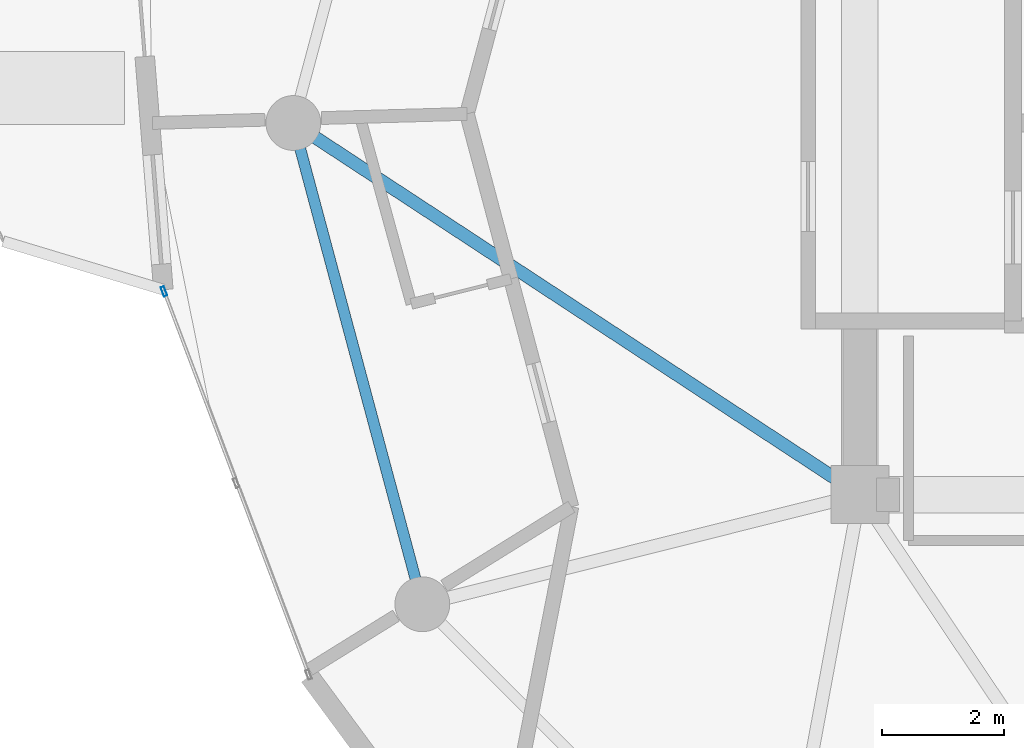
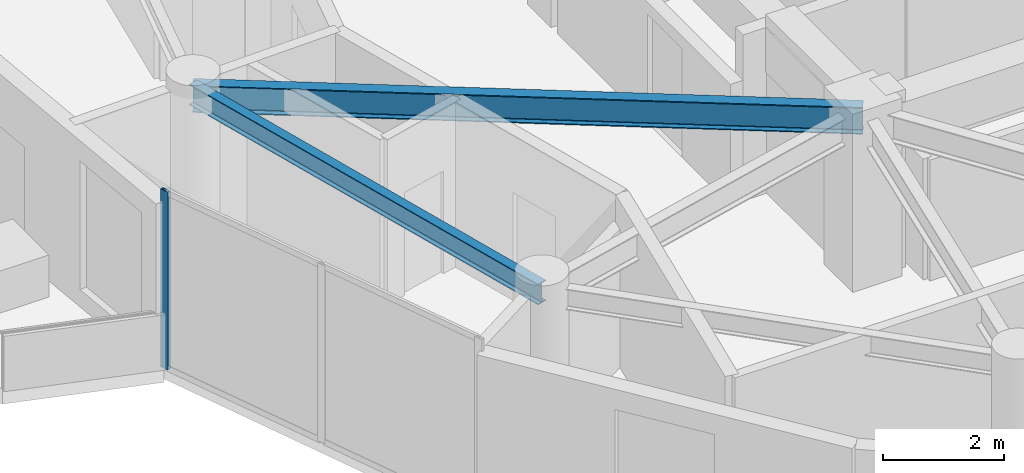
# One storey, part 6 of 20: 2 beams, 1 member, 1 element without a shape of its own.
"""IFC4 building model written with IfcOpenShell, lengths in metres."""

from ifc_helpers import new_model, si_unit, direction, frame, origin, origin_2d, place, context, subcontext, project, spatial, hollow_rectangle, i_section, extrude, source, transform, mapped, material, layer, layer_set, material_profile, profile_set, type_object, element, aggregate, save


model = new_model("IFC4")

# Units and contexts
model_context = context("Model", 3, precision=1e-05, world=origin(), true_north=direction((0.0, 1.0)))
body_context = subcontext(model_context, "Body", "Model", "MODEL_VIEW")
ifc_project = project(units=[si_unit("LENGTHUNIT", "METRE"), si_unit("AREAUNIT", "SQUARE_METRE"), si_unit("VOLUMEUNIT", "CUBIC_METRE"), si_unit("PLANEANGLEUNIT", "RADIAN"), si_unit("MASSUNIT", "GRAM", prefix="KILO")], contexts=[model_context])

# Site, building, storey
site_placement = place(None, origin())
site = spatial("IfcSite", under=ifc_project, at=site_placement, CompositionType="ELEMENT")
building_placement = place(site_placement, origin())
building = spatial("IfcBuilding", under=site, at=building_placement, Name="Solvirekh Grand Hotel", CompositionType="ELEMENT")
storey_placement = place(building_placement, frame((0.0, 0.0, 194.800048828125)))
storey = spatial("IfcBuildingStorey", under=building, at=storey_placement, Name="L50", CompositionType="ELEMENT", Elevation=194.800048828125)

# Beams
ifc_material_1 = material(Name="Steel S355", Category="steel")
ifc_material_profile_1 = material_profile(ifc_material_1, i_section(OverallWidth=0.2119140625, OverallDepth=0.5439453125, WebThickness=0.011962890625, FlangeThickness=0.01904296875, FilletRadius=0.013916015625, at=origin_2d()), Name="W530X123")
ifc_profile_set_1 = profile_set([ifc_material_profile_1], Name="Steel S355")
beam_type_1 = type_object("IfcBeamType", Name="Beam_Radial_W530H", PredefinedType="BEAM", material=ifc_profile_set_1)
beam_1_placement = place(storey_placement, frame((-6.5, -6.10009765625, 3.087890625), z_axis=(-0.836174064962, 0.548464158432, 0.0), x_axis=(-0.548464158432, -0.836174064962, 0.0)))
element("IfcBeam", 1, at=beam_1_placement, inside=storey, type_object=beam_type_1, Name="L50 radial floor beam R07", PredefinedType="BEAM", context=body_context, shape_type="SweptSolid", body=[
    extrude(i_section(OverallWidth=0.2119140625, OverallDepth=0.5439453125, WebThickness=0.011962890625, FlangeThickness=0.01904296875, FilletRadius=0.013916015625, at=origin_2d()), origin(), (0.0, 0.0, 1.0), 11.1220703125),
])
ifc_material_profile_2 = material_profile(ifc_material_1, i_section(OverallWidth=0.180908203125, OverallDepth=0.4169921875, WebThickness=0.010009765625, FlangeThickness=0.01611328125, FilletRadius=0.011962890625, at=origin_2d()), Name="W410X85")
ifc_profile_set_2 = profile_set([ifc_material_profile_2], Name="Steel S355")
beam_type_2 = type_object("IfcBeamType", Name="Spandrel_Ring_W410", PredefinedType="SPANDREL", material=ifc_profile_set_2)
beam_2_placement = place(storey_placement, frame((-15.800048828125, 0.0, 3.15185546875), z_axis=(0.258838541915, -0.965920601923, 0.0), x_axis=(0.965920601923, 0.258838541915, 0.0)))
element("IfcBeam", 2, at=beam_2_placement, inside=storey, type_object=beam_type_2, Name="L50 perimeter spandrel beam 7", PredefinedType="SPANDREL", context=body_context, shape_type="SweptSolid", body=[
    extrude(i_section(OverallWidth=0.180908203125, OverallDepth=0.4169921875, WebThickness=0.010009765625, FlangeThickness=0.01611328125, FilletRadius=0.011962890625, at=origin_2d()), origin(), (0.0, 0.0, 1.0), 8.1787109375),
])

# Curtain wall, member
ifc_material_2 = material(Name="Anodized Bronze Aluminium 6063-T6", Category="aluminium")
ifc_layer = layer(ifc_material_2, 0.159912109375)
ifc_layer_set = layer_set([ifc_layer], Name="Anodized Bronze Aluminium 6063-T6")
curtain_wall_type = type_object("IfcCurtainWallType", Name="CW_Sys4_HighZoneFlushBronzeCW", PredefinedType="NOTDEFINED", material=ifc_layer_set)
curtain_wall_placement = place(storey_placement, origin())
curtain_wall = element("IfcCurtainWall", 3, at=curtain_wall_placement, inside=storey, type_object=curtain_wall_type, Name="L50 unitised bronze-glass curtain wall CW-L50-C15", PredefinedType="NOTDEFINED")
ifc_material_profile_3 = material_profile(ifc_material_2, hollow_rectangle(XDim=0.06005859375, YDim=0.159912109375, WallThickness=0.0048828125, at=origin_2d()), Name="ALU RHS 160X60X5")
ifc_profile_set_3 = profile_set([ifc_material_profile_3], Name="Anodized Bronze Aluminium 6063-T6")
member_type = type_object("IfcMemberType", Name="CWMullion_Sys4", PredefinedType="MULLION", material=ifc_profile_set_3)
shared_shape = source(origin(), body_context, "Body", "SweptSolid", [
    extrude(hollow_rectangle(XDim=0.06005859375, YDim=0.159912109375, WallThickness=0.0048828125, at=origin_2d()), origin(), (0.0, 0.0, 1.0), 3.599853515625),
])
member_placement = place(storey_placement, frame((-17.92333984375, -2.76416015625, 0.0), z_axis=(0.0, 0.0, 1.0), x_axis=(0.935557615208, 0.353174105261, 0.0)))
member = element("IfcMember", 4, at=member_placement, type_object=member_type, Name="U04 mullion 1", PredefinedType="MULLION", context=body_context, shape_type="MappedRepresentation", body=[
    mapped(shared_shape, transform((0.0, 0.0, 0.0), x_axis=(1.0, 0.0, 0.0), y_axis=(0.0, 1.0, 0.0), z_axis=(0.0, 0.0, 1.0), scale=1.0)),
])
aggregate(curtain_wall, [member])

save(model, "model.ifc")
